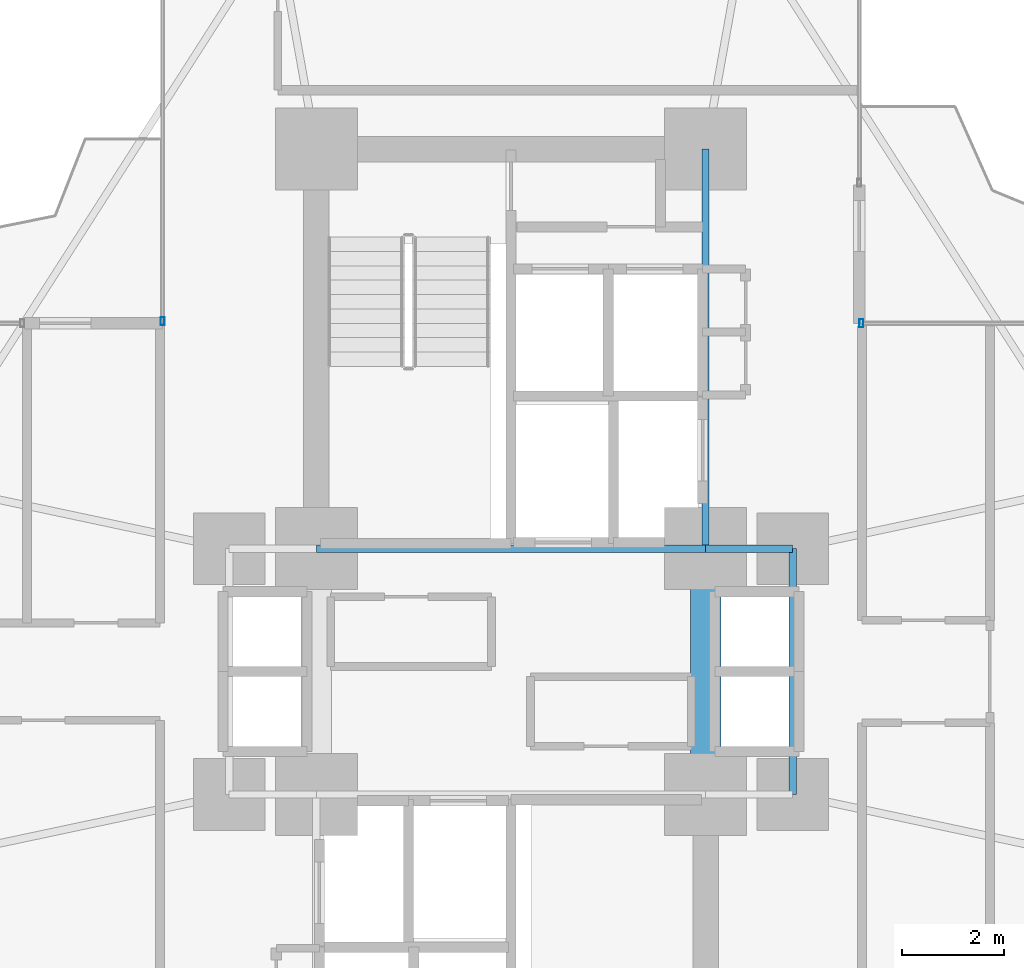
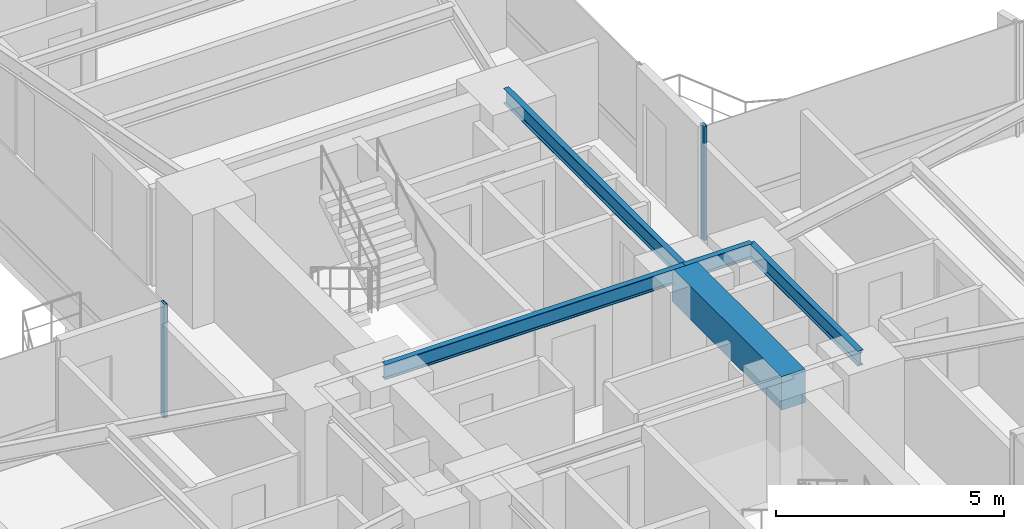
# One storey, part 12 of 26: 5 beams, 2 members, 2 elements without a shape of their own.
"""IFC4 building model written with IfcOpenShell, lengths in metres."""

from ifc_helpers import new_model, si_unit, direction, frame, origin, origin_2d, place, context, subcontext, project, spatial, rectangle, hollow_rectangle, i_section, extrude, source, transform, mapped, material, material_profile, profile_set, type_object, element, aggregate, save


model = new_model("IFC4")

# Units and contexts
model_context = context("Model", 3, precision=1e-05, world=origin(), true_north=direction((0.0, 1.0)))
body_context = subcontext(model_context, "Body", "Model", "MODEL_VIEW")
ifc_project = project(units=[si_unit("LENGTHUNIT", "METRE"), si_unit("AREAUNIT", "SQUARE_METRE"), si_unit("VOLUMEUNIT", "CUBIC_METRE"), si_unit("PLANEANGLEUNIT", "RADIAN"), si_unit("MASSUNIT", "GRAM", prefix="KILO")], contexts=[model_context])

# Site, building, storey
site_placement = place(None, origin())
site = spatial("IfcSite", under=ifc_project, at=site_placement, CompositionType="ELEMENT")
building_placement = place(site_placement, origin())
building = spatial("IfcBuilding", under=site, at=building_placement, Name="Sahyath Konkavel Grand Hotel", CompositionType="ELEMENT")
storey_placement = place(building_placement, frame((0.0, 0.0, 43.199951171875)))
storey = spatial("IfcBuildingStorey", under=building, at=storey_placement, Name="L11", CompositionType="ELEMENT", Elevation=43.199951171875)

# Beams
ifc_material_1 = material(Name="Concrete C70/85", Category="concrete")
ifc_material_profile_1 = material_profile(ifc_material_1, rectangle(XDim=0.60009765625, YDim=0.89990234375, at=origin_2d()), Name="RC 600x900")
ifc_profile_set_1 = profile_set([ifc_material_profile_1], Name="Concrete C70/85")
beam_type_1 = type_object("IfcBeamType", Name="BM-CB600x900", PredefinedType="LINTEL", material=ifc_profile_set_1)
shared_shape_1 = source(origin(), body_context, "Body", "SweptSolid", [
    extrude(rectangle(XDim=0.60009765625, YDim=0.89990234375, at=origin_2d()), origin(), (0.0, 0.0, 1.0), 4.7998046875),
])
beam_1_placement = place(storey_placement, frame((3.800048828125, -2.39990234375, 2.60009765625), z_axis=(0.0, 1.0, 0.0), x_axis=(-1.0, 0.0, 0.0)))
element("IfcBeam", 1, at=beam_1_placement, inside=storey, type_object=beam_type_1, Name="L11 Split-Core Coupling Beam East", PredefinedType="LINTEL", context=body_context, shape_type="MappedRepresentation", body=[
    mapped(shared_shape_1, transform((0.0, 0.0, 0.0), scale=1.0)),
])
ifc_material_2 = material(Name="Steel E350", Category="steel")
ifc_material_profile_2 = material_profile(ifc_material_2, i_section(OverallWidth=0.139892578125, OverallDepth=0.39990234375, WebThickness=0.0087890625, FlangeThickness=0.01611328125, FilletRadius=0.013916015625, at=origin_2d()), Name="ISMB 400")
ifc_profile_set_2 = profile_set([ifc_material_profile_2], Name="Steel E350")
beam_type_2 = type_object("IfcBeamType", Name="BM-ISMB400", PredefinedType="BEAM", material=ifc_profile_set_2)
shared_shape_2 = source(origin(), body_context, "Body", "SweptSolid", [
    extrude(i_section(OverallWidth=0.139892578125, OverallDepth=0.39990234375, WebThickness=0.0087890625, FlangeThickness=0.01611328125, FilletRadius=0.013916015625, at=origin_2d()), origin(), (0.0, 0.0, 1.0), 7.60009765625),
])
beam_2_placement = place(storey_placement, frame((-3.800048828125, 2.39990234375, 2.85009765625), z_axis=(1.0, 0.0, 0.0), x_axis=(0.0, 1.0, 0.0)))
element("IfcBeam", 2, at=beam_2_placement, inside=storey, type_object=beam_type_2, Name="str:bm:L11:NC-S", PredefinedType="BEAM", context=body_context, shape_type="MappedRepresentation", body=[
    mapped(shared_shape_2, transform((0.0, 0.0, 0.0), scale=1.0)),
])
shared_shape_3 = source(origin(), body_context, "Body", "SweptSolid", [
    extrude(i_section(OverallWidth=0.139892578125, OverallDepth=0.39990234375, WebThickness=0.0087890625, FlangeThickness=0.01611328125, FilletRadius=0.013916015625, at=origin_2d()), origin(), (0.0, 0.0, 1.0), 7.800048828125),
])
beam_3_placement = place(storey_placement, frame((3.800048828125, 2.39990234375, 2.85009765625), z_axis=(0.0, 1.0, 0.0), x_axis=(-1.0, 0.0, 0.0)))
element("IfcBeam", 3, at=beam_3_placement, inside=storey, type_object=beam_type_2, Name="str:bm:L11:NC-E", PredefinedType="BEAM", context=body_context, shape_type="MappedRepresentation", body=[
    mapped(shared_shape_3, transform((0.0, 0.0, 0.0), scale=1.0)),
])
shared_shape_4 = source(origin(), body_context, "Body", "SweptSolid", [
    extrude(i_section(OverallWidth=0.139892578125, OverallDepth=0.39990234375, WebThickness=0.0087890625, FlangeThickness=0.01611328125, FilletRadius=0.013916015625, at=origin_2d()), origin(), (0.0, 0.0, 1.0), 1.699951171875),
])
beam_4_placement = place(storey_placement, frame((3.800048828125, 2.39990234375, 2.85009765625), z_axis=(1.0, 0.0, 0.0), x_axis=(0.0, 1.0, 0.0)))
element("IfcBeam", 4, at=beam_4_placement, inside=storey, type_object=beam_type_2, Name="str:bm:L11:HB-NE", PredefinedType="BEAM", context=body_context, shape_type="MappedRepresentation", body=[
    mapped(shared_shape_4, transform((0.0, 0.0, 0.0), scale=1.0)),
])
shared_shape_5 = source(origin(), body_context, "Body", "SweptSolid", [
    extrude(i_section(OverallWidth=0.139892578125, OverallDepth=0.39990234375, WebThickness=0.0087890625, FlangeThickness=0.01611328125, FilletRadius=0.013916015625, at=origin_2d()), origin(), (0.0, 0.0, 1.0), 4.7998046875),
])
beam_5_placement = place(storey_placement, frame((5.5, -2.39990234375, 2.85009765625), z_axis=(0.0, 1.0, 0.0), x_axis=(-1.0, 0.0, 0.0)))
element("IfcBeam", 5, at=beam_5_placement, inside=storey, type_object=beam_type_2, Name="str:bm:L11:HB-E", PredefinedType="BEAM", context=body_context, shape_type="MappedRepresentation", body=[
    mapped(shared_shape_5, transform((0.0, 0.0, 0.0), scale=1.0)),
])

# Curtain wall, member
ifc_material_3 = material(Name="Anodised Bronze Aluminium & Low-E Glazing", Category="aluminium")
curtain_wall_type = type_object("IfcCurtainWallType", Name="CW-ZONE1", PredefinedType="NOTDEFINED", material=ifc_material_3)
curtain_wall_1_placement = place(storey_placement, origin())
curtain_wall_1 = element("IfcCurtainWall", 6, at=curtain_wall_1_placement, inside=storey, type_object=curtain_wall_type, Name="L11 Unitised Curtain Wall F7", PredefinedType="NOTDEFINED")
ifc_material_4 = material(Name="Anodised Bronze Aluminium", Category="aluminium")
ifc_material_profile_3 = material_profile(ifc_material_4, hollow_rectangle(XDim=0.080078125, YDim=0.159912109375, WallThickness=0.006103515625, at=origin_2d()), Name="RHS 160x80x6")
ifc_profile_set_3 = profile_set([ifc_material_profile_3], Name="Anodised Bronze Aluminium")
member_type = type_object("IfcMemberType", Name="CW-MUL-160", PredefinedType="MULLION", material=ifc_profile_set_3)
shared_shape_6 = source(origin(), body_context, "Body", "SweptSolid", [
    extrude(hollow_rectangle(XDim=0.080078125, YDim=0.159912109375, WallThickness=0.006103515625, at=origin_2d()), origin(), (0.0, 0.0, 1.0), 3.050048828125),
])
member_1_placement = place(storey_placement, frame((6.840087890625, 6.800048828125, 0.0), z_axis=(0.0, 0.0, 1.0), x_axis=(1.0, 0.0, 0.0)))
member_1 = element("IfcMember", 7, at=member_1_placement, type_object=member_type, Name="L11 Curtain Wall Mullion F7-2", PredefinedType="MULLION", context=body_context, shape_type="MappedRepresentation", body=[
    mapped(shared_shape_6, transform((0.0, 0.0, 0.0), scale=1.0)),
])
aggregate(curtain_wall_1, [member_1])

curtain_wall_2_placement = place(storey_placement, origin())
curtain_wall_2 = element("IfcCurtainWall", 8, at=curtain_wall_2_placement, inside=storey, type_object=curtain_wall_type, Name="L11 Unitised Curtain Wall F15", PredefinedType="NOTDEFINED")
member_2_placement = place(storey_placement, frame((-6.800048828125, 6.840087890625, 0.0), z_axis=(0.0, 0.0, 1.0), x_axis=(1.0, 0.0, 0.0)))
member_2 = element("IfcMember", 9, at=member_2_placement, type_object=member_type, Name="L11 Curtain Wall Mullion F15-2", PredefinedType="MULLION", context=body_context, shape_type="MappedRepresentation", body=[
    mapped(shared_shape_6, transform((0.0, 0.0, 0.0), scale=1.0)),
])
aggregate(curtain_wall_2, [member_2])

save(model, "model.ifc")
